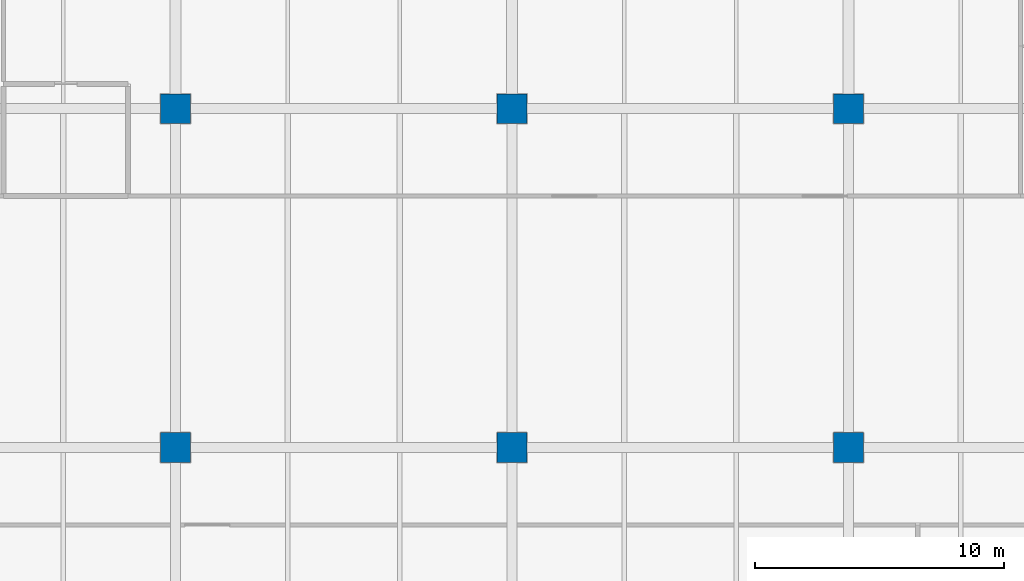
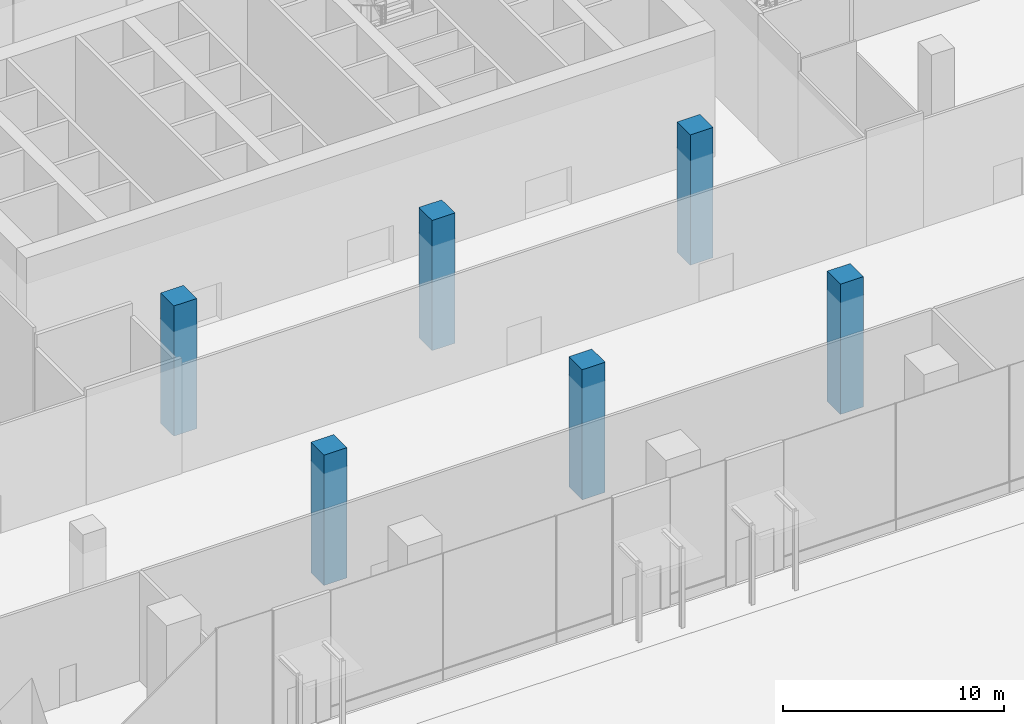
# One storey, part 5 of 41: 6 columns.
"""IFC4 building model written with IfcOpenShell, lengths in metres."""

from ifc_helpers import new_model, si_unit, direction, frame, origin, origin_2d, place, context, subcontext, project, spatial, rectangle, extrude, material, material_profile, profile_set, type_object, element, save


model = new_model("IFC4")

# Units and contexts
model_context = context("Model", 3, precision=1e-05, world=origin(), true_north=direction((0.0, 1.0)))
body_context = subcontext(model_context, "Body", "Model", "MODEL_VIEW")
ifc_project = project(units=[si_unit("LENGTHUNIT", "METRE"), si_unit("AREAUNIT", "SQUARE_METRE"), si_unit("VOLUMEUNIT", "CUBIC_METRE"), si_unit("PLANEANGLEUNIT", "RADIAN"), si_unit("MASSUNIT", "GRAM", prefix="KILO")], contexts=[model_context])

# Site, building, storey
site_placement = place(None, origin())
site = spatial("IfcSite", under=ifc_project, at=site_placement, CompositionType="ELEMENT")
building_placement = place(site_placement, origin())
building = spatial("IfcBuilding", under=site, at=building_placement, Name="Rattan Terrace Tower", CompositionType="ELEMENT")
storey_placement = place(building_placement, origin())
storey = spatial("IfcBuildingStorey", under=building, at=storey_placement, Name="L00", CompositionType="ELEMENT", Elevation=0.0)

# Columns
ifc_material = material(Name="Concrete C60/75", Category="concrete")
ifc_material_profile = material_profile(ifc_material, rectangle(XDim=1.199951171875, YDim=1.199951171875, at=origin_2d()), Name="RC 1200x1200")
ifc_profile_set = profile_set([ifc_material_profile], Name="Concrete C60/75")
column_type = type_object("IfcColumnType", Name="Frame interior column RC 1200x1200", PredefinedType="COLUMN", material=ifc_profile_set)
for number, where, z_axis, x_axis, name in (
    (1, (-13.5, -27.10009765625, -0.199951171875), (0.0, 0.0, 1.0), (1.0, 0.0, 0.0), "col-L00-002"),
    (2, (0.0, -27.10009765625, -0.199951171875), (0.0, 0.0, 1.0), (1.0, 0.0, 0.0), "col-L00-003"),
    (3, (13.5, -27.10009765625, -0.199951171875), (0.0, 0.0, 1.0), (1.0, 0.0, 0.0), "col-L00-004"),
    (4, (-13.5, -13.5, -0.199951171875), (0.0, 0.0, 1.0), (1.0, 0.0, 0.0), "col-L00-007"),
    (5, (0.0, -13.5, -0.199951171875), (0.0, 0.0, 1.0), (1.0, 0.0, 0.0), "col-L00-008"),
    (6, (13.5, -13.5, -0.199951171875), (0.0, 0.0, 1.0), (1.0, 0.0, 0.0), "col-L00-009"),
):
    element("IfcColumn", number, at=place(storey_placement, frame(where, z_axis=z_axis, x_axis=x_axis)), inside=storey, type_object=column_type, Name=name, PredefinedType="COLUMN", context=body_context, shape_type="SweptSolid", body=[
        extrude(rectangle(XDim=1.199951171875, YDim=1.199951171875, at=origin_2d()), origin(), (0.0, 0.0, 1.0), 7.199951171875),
    ])

save(model, "model.ifc")
